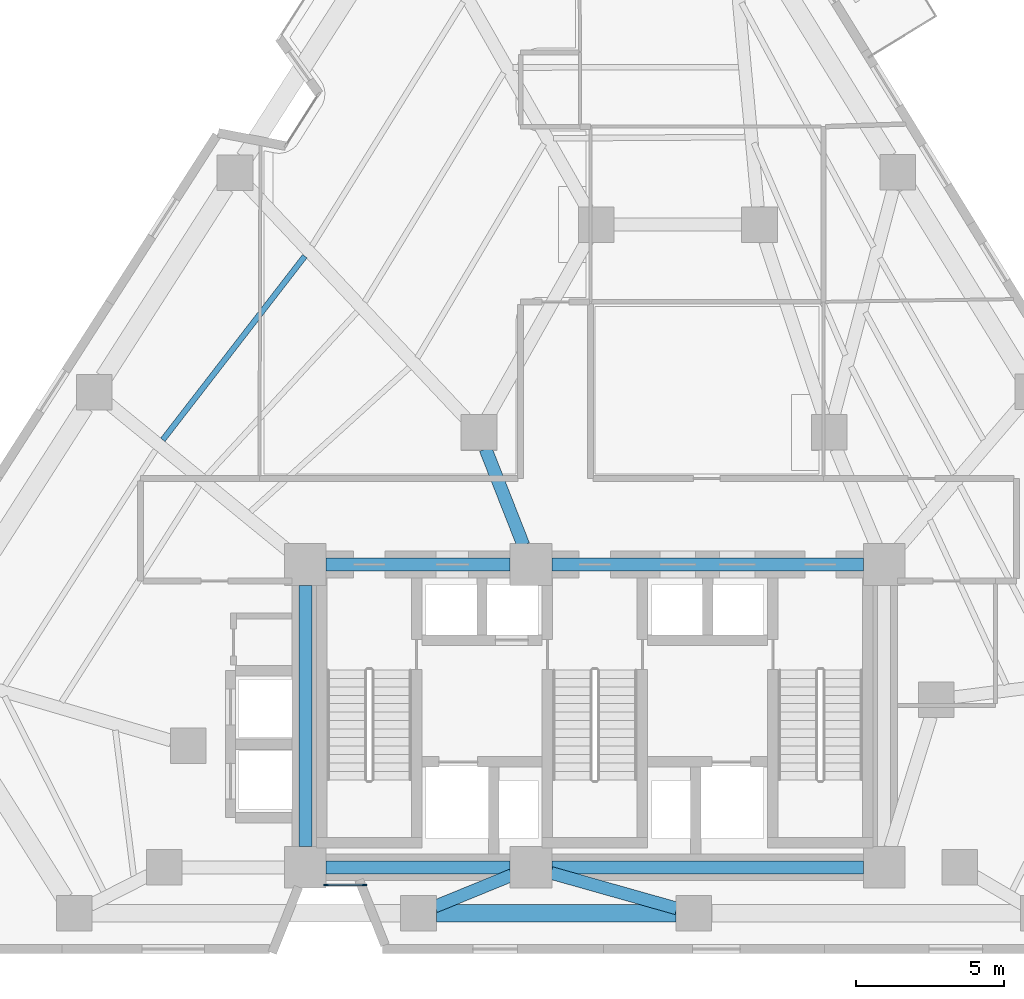
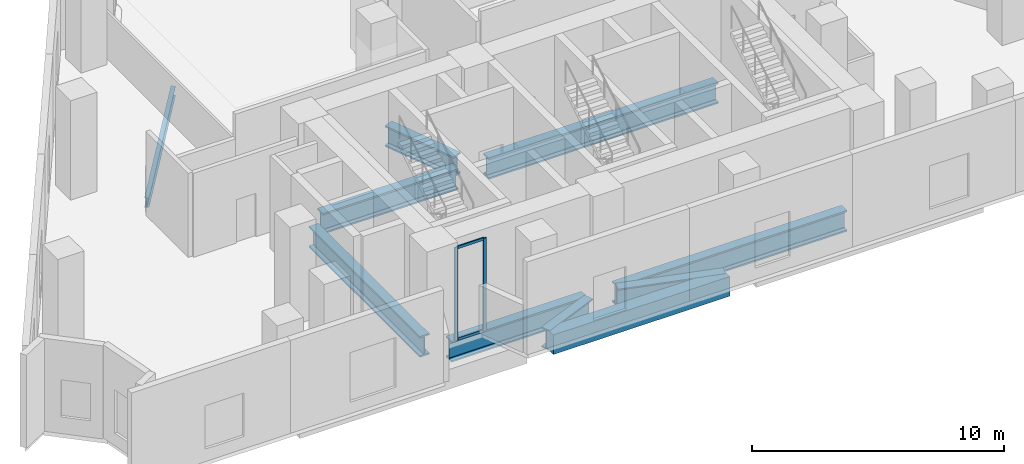
# One storey, part 2 of 13: 10 beams, 4 members, 1 element without a shape of its own.
"""IFC4 building model written with IfcOpenShell, lengths in metres."""

from ifc_helpers import new_model, si_unit, direction, frame, origin, origin_2d, place, context, subcontext, project, spatial, rectangle, i_section, extrude, material, layer, layer_set, material_profile, profile_set, type_object, element, aggregate, save


model = new_model("IFC4")

# Units and contexts
model_context = context("Model", 3, precision=1e-05, world=origin(), true_north=direction((0.0, 1.0)))
body_context = subcontext(model_context, "Body", "Model", "MODEL_VIEW")
ifc_project = project(units=[si_unit("LENGTHUNIT", "METRE"), si_unit("AREAUNIT", "SQUARE_METRE"), si_unit("VOLUMEUNIT", "CUBIC_METRE"), si_unit("PLANEANGLEUNIT", "RADIAN"), si_unit("MASSUNIT", "GRAM", prefix="KILO")], contexts=[model_context])

# Site, building, storey
site_placement = place(None, origin())
site = spatial("IfcSite", under=ifc_project, at=site_placement, CompositionType="ELEMENT")
building_placement = place(site_placement, origin())
building = spatial("IfcBuilding", under=site, at=building_placement, Name="Almagre Mirador Tower", CompositionType="ELEMENT")
storey_placement = place(building_placement, frame((0.0, 0.0, 100.199951171875)))
storey = spatial("IfcBuildingStorey", under=building, at=storey_placement, Name="L25", CompositionType="ELEMENT", Elevation=100.199951171875)

# Beams
ifc_material_1 = material(Name="Steel ASTM A992 Grade 50", Category="steel")
ifc_material_profile_1 = material_profile(ifc_material_1, i_section(OverallWidth=0.19091796875, OverallDepth=0.4599609375, WebThickness=0.010009765625, FlangeThickness=0.01611328125, FilletRadius=0.01611328125, at=origin_2d()), Name="W18X55")
ifc_profile_set_1 = profile_set([ifc_material_profile_1], Name="Steel ASTM A992 Grade 50")
beam_type_1 = type_object("IfcBeamType", Name="BM-JST-W18X55", PredefinedType="JOIST", material=ifc_profile_set_1)
beam_1_placement = place(storey_placement, frame((27.530029296875, 25.1376953125, -0.530029296875), z_axis=(-0.611727324998, -0.791068694773, 0.0), x_axis=(0.791068694773, -0.611727324998, 0.0)))
element("IfcBeam", 1, at=beam_1_placement, inside=storey, type_object=beam_type_1, Name="L25 secondary floor joist PC10-PC11.1", PredefinedType="JOIST", context=body_context, shape_type="SweptSolid", body=[
    extrude(i_section(OverallWidth=0.19091796875, OverallDepth=0.4599609375, WebThickness=0.010009765625, FlangeThickness=0.01611328125, FilletRadius=0.01611328125, at=origin_2d()), origin(), (0.0, 0.0, 1.0), 7.82080078125),
])
ifc_material_2 = material(Name="Precast concrete C50/60", Category="concrete")
ifc_material_profile_2 = material_profile(ifc_material_2, rectangle(XDim=0.60009765625, YDim=0.949951171875, at=origin_2d()), Name="RC600X950")
ifc_profile_set_2 = profile_set([ifc_material_profile_2], Name="Precast concrete C50/60")
beam_type_2 = type_object("IfcBeamType", Name="BM-SPN-RC600X950", PredefinedType="SPANDREL", material=ifc_profile_set_2)
beam_2_placement = place(storey_placement, frame((31.9599609375, 3.0, -0.77490234375), z_axis=(1.0, 0.0, 0.0), x_axis=(0.0, 1.0, 0.0)))
element("IfcBeam", 2, at=beam_2_placement, inside=storey, type_object=beam_type_2, Name="L25 perimeter spandrel beam PC02-PC03", PredefinedType="SPANDREL", context=body_context, shape_type="SweptSolid", body=[
    extrude(rectangle(XDim=0.60009765625, YDim=0.949951171875, at=origin_2d()), origin(), (0.0, 0.0, 1.0), 8.080078125),
])
ifc_material_3 = material(Name="Steel ASTM A992 Grade 50", Category="steel")
ifc_material_profile_3 = material_profile(ifc_material_3, i_section(OverallWidth=0.427978515625, OverallDepth=0.97509765625, WebThickness=0.031005859375, FlangeThickness=0.055908203125, FilletRadius=0.028076171875, at=origin_2d()), Name="W36X395")
ifc_profile_set_3 = profile_set([ifc_material_profile_3], Name="Steel ASTM A992 Grade 50")
beam_type_3 = type_object("IfcBeamType", Name="BM-STL-W36X395", PredefinedType="BEAM", material=ifc_profile_set_3)
beam_3_placement = place(storey_placement, frame((31.915283203125, 3.22705078125, -0.787353515625), z_axis=(0.925599823227, 0.378503589472, 0.0), x_axis=(-0.378503589472, 0.925599823227, 0.0)))
element("IfcBeam", 3, at=beam_3_placement, inside=storey, type_object=beam_type_3, Name="L25 radial floor girder PC02-CC2", PredefinedType="BEAM", context=body_context, shape_type="SweptSolid", body=[
    extrude(i_section(OverallWidth=0.427978515625, OverallDepth=0.97509765625, WebThickness=0.031005859375, FlangeThickness=0.055908203125, FilletRadius=0.028076171875, at=origin_2d()), origin(), (0.0, 0.0, 1.0), 2.794921875),
])
beam_4_placement = place(storey_placement, frame((40.0625, 3.1630859375, -0.787353515625), z_axis=(-0.962376859891, 0.271718198778, 0.0), x_axis=(-0.271718198778, -0.962376859891, 0.0)))
element("IfcBeam", 4, at=beam_4_placement, inside=storey, type_object=beam_type_3, Name="L25 radial floor girder PC03-CC2", PredefinedType="BEAM", context=body_context, shape_type="SweptSolid", body=[
    extrude(i_section(OverallWidth=0.427978515625, OverallDepth=0.97509765625, WebThickness=0.031005859375, FlangeThickness=0.055908203125, FilletRadius=0.028076171875, at=origin_2d()), origin(), (0.0, 0.0, 1.0), 4.404541015625),
])
ifc_material_4 = material(Name="Steel ASTM A992 Grade 50", Category="steel")
ifc_material_profile_4 = material_profile(ifc_material_4, i_section(OverallWidth=0.43701171875, OverallDepth=1.010986328125, WebThickness=0.041015625, FlangeThickness=0.073974609375, FilletRadius=0.028076171875, at=origin_2d()), Name="W36X529")
ifc_profile_set_4 = profile_set([ifc_material_profile_4], Name="Steel ASTM A992 Grade 50")
beam_type_4 = type_object("IfcBeamType", Name="BM-STL-W36X529", PredefinedType="BEAM", material=ifc_profile_set_4)
beam_5_placement = place(storey_placement, frame((28.25, 4.550048828125, -0.805419921875), z_axis=(1.0, 0.0, 0.0), x_axis=(0.0, 1.0, 0.0)))
element("IfcBeam", 5, at=beam_5_placement, inside=storey, type_object=beam_type_4, Name="L25 core tie girder CC1-CC2", PredefinedType="BEAM", context=body_context, shape_type="SweptSolid", body=[
    extrude(i_section(OverallWidth=0.43701171875, OverallDepth=1.010986328125, WebThickness=0.041015625, FlangeThickness=0.073974609375, FilletRadius=0.028076171875, at=origin_2d()), origin(), (0.0, 0.0, 1.0), 6.199951171875),
])
beam_6_placement = place(storey_placement, frame((35.85009765625, 4.550048828125, -0.805419921875), z_axis=(1.0, 0.0, 0.0), x_axis=(0.0, 1.0, 0.0)))
element("IfcBeam", 6, at=beam_6_placement, inside=storey, type_object=beam_type_4, Name="L25 core tie girder CC2-CC3", PredefinedType="BEAM", context=body_context, shape_type="SweptSolid", body=[
    extrude(i_section(OverallWidth=0.43701171875, OverallDepth=1.010986328125, WebThickness=0.041015625, FlangeThickness=0.073974609375, FilletRadius=0.028076171875, at=origin_2d()), origin(), (0.0, 0.0, 1.0), 10.5),
])
beam_7_placement = place(storey_placement, frame((28.25, 14.75, -0.805419921875), z_axis=(1.0, 0.0, 0.0), x_axis=(0.0, 1.0, 0.0)))
element("IfcBeam", 7, at=beam_7_placement, inside=storey, type_object=beam_type_4, Name="L25 core tie girder CC4-CC5", PredefinedType="BEAM", context=body_context, shape_type="SweptSolid", body=[
    extrude(i_section(OverallWidth=0.43701171875, OverallDepth=1.010986328125, WebThickness=0.041015625, FlangeThickness=0.073974609375, FilletRadius=0.028076171875, at=origin_2d()), origin(), (0.0, 0.0, 1.0), 6.199951171875),
])
beam_8_placement = place(storey_placement, frame((35.85009765625, 14.75, -0.805419921875), z_axis=(1.0, 0.0, 0.0), x_axis=(0.0, 1.0, 0.0)))
element("IfcBeam", 8, at=beam_8_placement, inside=storey, type_object=beam_type_4, Name="L25 core tie girder CC5-CC6", PredefinedType="BEAM", context=body_context, shape_type="SweptSolid", body=[
    extrude(i_section(OverallWidth=0.43701171875, OverallDepth=1.010986328125, WebThickness=0.041015625, FlangeThickness=0.073974609375, FilletRadius=0.028076171875, at=origin_2d()), origin(), (0.0, 0.0, 1.0), 10.5),
])
beam_9_placement = place(storey_placement, frame((27.550048828125, 5.25, -0.805419921875), z_axis=(0.0, 1.0, 0.0), x_axis=(-1.0, 0.0, 0.0)))
element("IfcBeam", 9, at=beam_9_placement, inside=storey, type_object=beam_type_4, Name="L25 core tie girder CC1-CC4", PredefinedType="BEAM", context=body_context, shape_type="SweptSolid", body=[
    extrude(i_section(OverallWidth=0.43701171875, OverallDepth=1.010986328125, WebThickness=0.041015625, FlangeThickness=0.073974609375, FilletRadius=0.028076171875, at=origin_2d()), origin(), (0.0, 0.0, 1.0), 8.800048828125),
])
beam_10_placement = place(storey_placement, frame((33.61962890625, 18.6416015625, -0.805419921875), z_axis=(0.365956076985, -0.93063212373, 0.0), x_axis=(0.93063212373, 0.365956076985, 0.0)))
element("IfcBeam", 10, at=beam_10_placement, inside=storey, type_object=beam_type_4, Name="L25 core tie girder MC8-CC5", PredefinedType="BEAM", context=body_context, shape_type="SweptSolid", body=[
    extrude(i_section(OverallWidth=0.43701171875, OverallDepth=1.010986328125, WebThickness=0.041015625, FlangeThickness=0.073974609375, FilletRadius=0.028076171875, at=origin_2d()), origin(), (0.0, 0.0, 1.0), 3.481689453125),
])

# Curtain wall, members
ifc_material_5 = material(Name="Black anodized aluminium", Category="aluminium")
ifc_layer = layer(ifc_material_5, 0.169921875)
ifc_layer_set = layer_set([ifc_layer], Name="Black anodized aluminium")
curtain_wall_type = type_object("IfcCurtainWallType", Name="CW-CRS-SYS", PredefinedType="NOTDEFINED", material=ifc_layer_set)
curtain_wall_placement = place(storey_placement, origin())
curtain_wall = element("IfcCurtainWall", 11, at=curtain_wall_placement, inside=storey, type_object=curtain_wall_type, Name="L25 vertical crease curtain wall 06", PredefinedType="NOTDEFINED")
ifc_material_6 = material(Name="Black anodized aluminium", Category="aluminium")
ifc_material_profile_5 = material_profile(ifc_material_6, rectangle(XDim=0.06005859375, YDim=0.14990234375, at=origin_2d()), Name="CWM60X150")
ifc_profile_set_5 = profile_set([ifc_material_profile_5], Name="Black anodized aluminium")
member_type_1 = type_object("IfcMemberType", Name="MBR-CWM60X150", PredefinedType="MULLION", material=ifc_profile_set_5)
member_1_placement = place(storey_placement, frame((29.5390625, 3.949951171875, 0.0), z_axis=(0.0, 0.0, 1.0), x_axis=(0.0, -1.0, 0.0)))
member_1 = element("IfcMember", 12, at=member_1_placement, type_object=member_type_1, Name="CW-4 mullion 1", PredefinedType="MULLION", context=body_context, shape_type="SweptSolid", body=[
    extrude(rectangle(XDim=0.06005859375, YDim=0.14990234375, at=origin_2d()), origin(), (0.0, 0.0, 1.0), 4.5),
])
member_2_placement = place(storey_placement, frame((28.241943359375, 3.949951171875, 0.0), z_axis=(0.0, 0.0, 1.0), x_axis=(0.0, -1.0, 0.0)))
member_2 = element("IfcMember", 13, at=member_2_placement, type_object=member_type_1, Name="CW-4 mullion 2", PredefinedType="MULLION", context=body_context, shape_type="SweptSolid", body=[
    extrude(rectangle(XDim=0.06005859375, YDim=0.14990234375, at=origin_2d()), origin(), (0.0, 0.0, 1.0), 4.5),
])
ifc_material_7 = material(Name="Black anodized aluminium", Category="aluminium")
ifc_material_profile_6 = material_profile(ifc_material_7, rectangle(XDim=0.06005859375, YDim=0.1298828125, at=origin_2d()), Name="CWT60X130")
ifc_profile_set_6 = profile_set([ifc_material_profile_6], Name="Black anodized aluminium")
member_type_2 = type_object("IfcMemberType", Name="MBR-CWT60X130", PredefinedType="USERDEFINED", material=ifc_profile_set_6)
member_3_placement = place(storey_placement, frame((29.509033203125, 3.949951171875, 0.030029296875), z_axis=(-1.0, 0.0, 0.0), x_axis=(0.0, -1.0, 0.0)))
member_3 = element("IfcMember", 14, at=member_3_placement, type_object=member_type_2, Name="CW-4 transom 1.1", ObjectType="TRANSOM", PredefinedType="USERDEFINED", context=body_context, shape_type="SweptSolid", body=[
    extrude(rectangle(XDim=0.06005859375, YDim=0.1298828125, at=origin_2d()), origin(), (0.0, 0.0, 1.0), 1.237060546875),
])
member_4_placement = place(storey_placement, frame((29.509033203125, 3.949951171875, 4.469970703125), z_axis=(-1.0, 0.0, 0.0), x_axis=(0.0, -1.0, 0.0)))
member_4 = element("IfcMember", 15, at=member_4_placement, type_object=member_type_2, Name="CW-4 transom 1.2", ObjectType="TRANSOM", PredefinedType="USERDEFINED", context=body_context, shape_type="SweptSolid", body=[
    extrude(rectangle(XDim=0.06005859375, YDim=0.1298828125, at=origin_2d()), origin(), (0.0, 0.0, 1.0), 1.237060546875),
])
aggregate(curtain_wall, [member_1, member_2, member_3, member_4])

save(model, "model.ifc")
